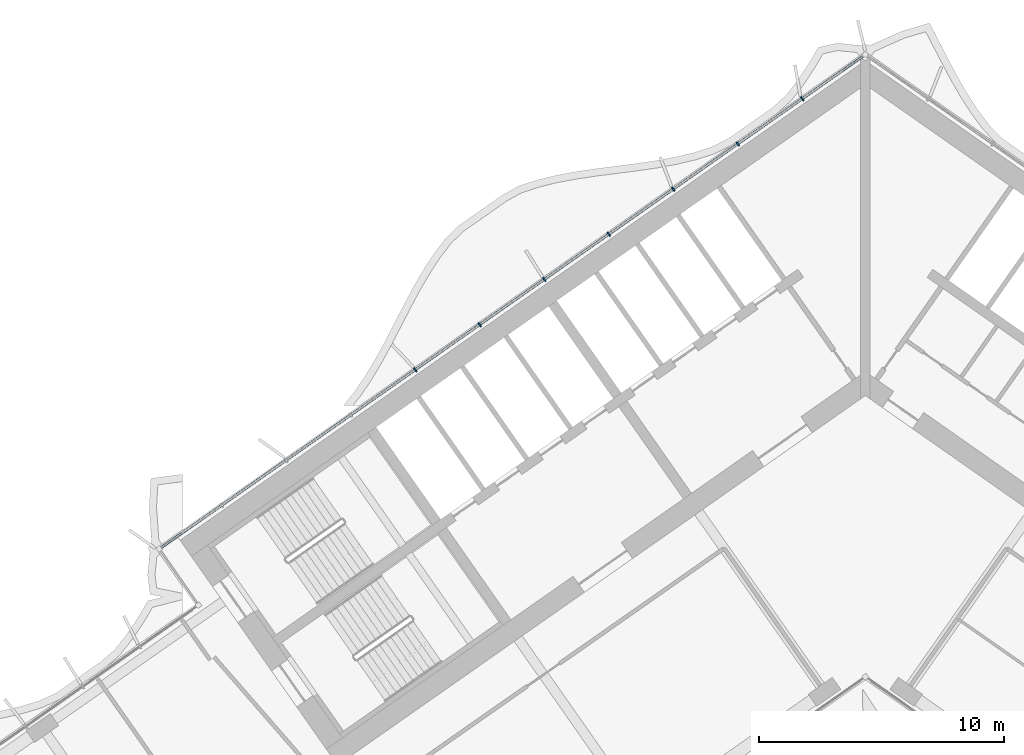
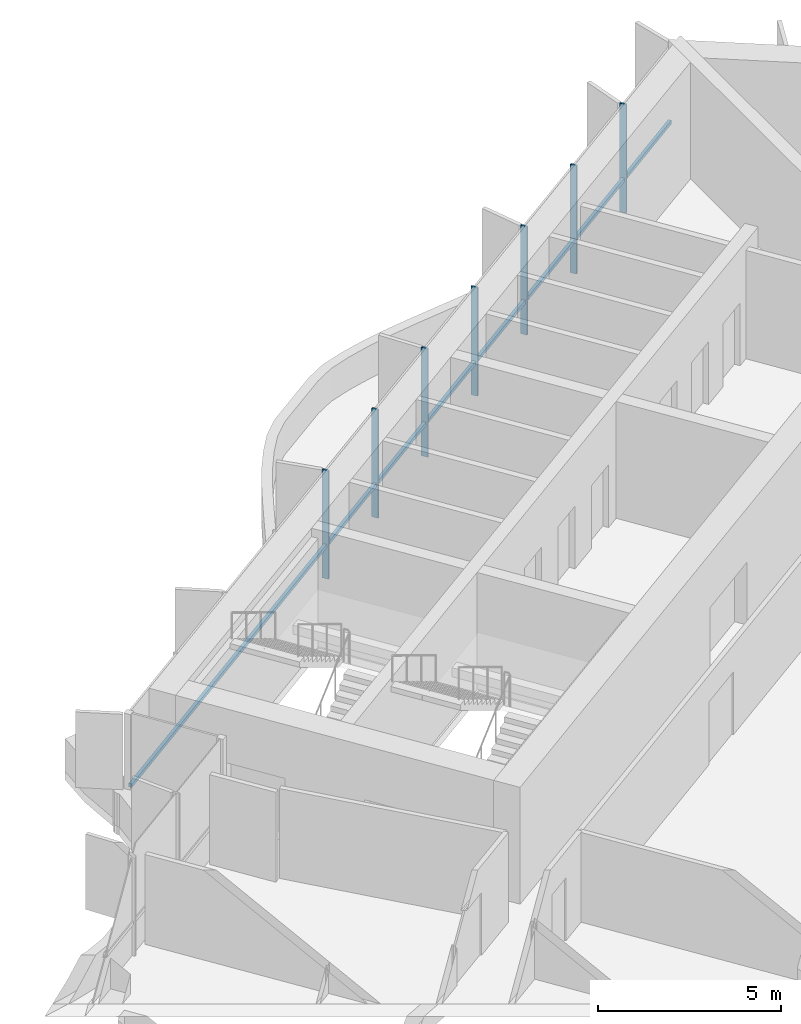
# One storey, part 7 of 22: 8 members, 1 element without a shape of its own.
"""IFC4 building model written with IfcOpenShell, lengths in metres."""

from ifc_helpers import new_model, si_unit, direction, frame, origin, origin_2d, place, context, subcontext, project, spatial, rectangle, extrude, material, material_profile, profile_set, type_object, element, aggregate, save


model = new_model("IFC4")

# Units and contexts
model_context = context("Model", 3, precision=1e-05, world=origin(), true_north=direction((0.0, 1.0)))
body_context = subcontext(model_context, "Body", "Model", "MODEL_VIEW")
ifc_project = project(units=[si_unit("LENGTHUNIT", "METRE"), si_unit("AREAUNIT", "SQUARE_METRE"), si_unit("VOLUMEUNIT", "CUBIC_METRE"), si_unit("PLANEANGLEUNIT", "RADIAN"), si_unit("MASSUNIT", "GRAM", prefix="KILO")], contexts=[model_context])

# Site, building, storey
site_placement = place(None, origin())
site = spatial("IfcSite", under=ifc_project, at=site_placement, CompositionType="ELEMENT")
building_placement = place(site_placement, origin())
building = spatial("IfcBuilding", under=site, at=building_placement, Name="Tel Ilan Convention Tower", CompositionType="ELEMENT")
storey_placement = place(building_placement, frame((0.0, 0.0, 135.89990234375)))
storey = spatial("IfcBuildingStorey", under=building, at=storey_placement, Name="L30", CompositionType="ELEMENT", Elevation=135.89990234375)

# Curtain wall, members
ifc_material_1 = material(Name="Aluminium, bronze anodised", Category="aluminium")
curtain_wall_type = type_object("IfcCurtainWallType", Name="CW2 STICK CURTAIN WALL, SPANDREL PANELS", PredefinedType="NOTDEFINED", material=ifc_material_1)
curtain_wall_placement = place(storey_placement, origin())
curtain_wall = element("IfcCurtainWall", 1, at=curtain_wall_placement, inside=storey, type_object=curtain_wall_type, Name="Curtain wall CW2-24.01", PredefinedType="NOTDEFINED")
ifc_material_2 = material(Name="Aluminium, bronze anodised", Category="aluminium")
ifc_material_profile_1 = material_profile(ifc_material_2, rectangle(XDim=0.06005859375, YDim=0.199951171875, at=origin_2d()), Name="CW MULLION 60x200")
ifc_profile_set_1 = profile_set([ifc_material_profile_1], Name="Aluminium, bronze anodised")
member_type_1 = type_object("IfcMemberType", Name="CW MULLION 60x200", PredefinedType="MULLION", material=ifc_profile_set_1)
member_1_placement = place(storey_placement, frame((-2.5751953125, 10.892822265625, 0.0), z_axis=(0.0, 0.0, 1.0), x_axis=(-0.819152044289, -0.573576436351, 0.0)))
member_1 = element("IfcMember", 2, at=member_1_placement, type_object=member_type_1, Name="Mullion", PredefinedType="MULLION", context=body_context, shape_type="SweptSolid", body=[
    extrude(rectangle(XDim=0.06005859375, YDim=0.199951171875, at=origin_2d()), origin(), (0.0, 0.0, 1.0), 3.6201171875),
])
member_2_placement = place(storey_placement, frame((-5.207763671875, 9.049560546875, 0.0), z_axis=(0.0, 0.0, 1.0), x_axis=(-0.819152044289, -0.573576436351, 0.0)))
member_2 = element("IfcMember", 3, at=member_2_placement, type_object=member_type_1, Name="Mullion", PredefinedType="MULLION", context=body_context, shape_type="SweptSolid", body=[
    extrude(rectangle(XDim=0.06005859375, YDim=0.199951171875, at=origin_2d()), origin(), (0.0, 0.0, 1.0), 3.6201171875),
])
member_3_placement = place(storey_placement, frame((-7.840576171875, 7.2060546875, 0.0), z_axis=(0.0, 0.0, 1.0), x_axis=(-0.819152044289, -0.573576436351, 0.0)))
member_3 = element("IfcMember", 4, at=member_3_placement, type_object=member_type_1, Name="Mullion", PredefinedType="MULLION", context=body_context, shape_type="SweptSolid", body=[
    extrude(rectangle(XDim=0.06005859375, YDim=0.199951171875, at=origin_2d()), origin(), (0.0, 0.0, 1.0), 3.6201171875),
])
member_4_placement = place(storey_placement, frame((-10.47314453125, 5.36279296875, 0.0), z_axis=(0.0, 0.0, 1.0), x_axis=(-0.819152044289, -0.573576436351, 0.0)))
member_4 = element("IfcMember", 5, at=member_4_placement, type_object=member_type_1, Name="Mullion", PredefinedType="MULLION", context=body_context, shape_type="SweptSolid", body=[
    extrude(rectangle(XDim=0.06005859375, YDim=0.199951171875, at=origin_2d()), origin(), (0.0, 0.0, 1.0), 3.6201171875),
])
member_5_placement = place(storey_placement, frame((-13.105712890625, 3.519287109375, 0.0), z_axis=(0.0, 0.0, 1.0), x_axis=(-0.819152044289, -0.573576436351, 0.0)))
member_5 = element("IfcMember", 6, at=member_5_placement, type_object=member_type_1, Name="Mullion", PredefinedType="MULLION", context=body_context, shape_type="SweptSolid", body=[
    extrude(rectangle(XDim=0.06005859375, YDim=0.199951171875, at=origin_2d()), origin(), (0.0, 0.0, 1.0), 3.6201171875),
])
member_6_placement = place(storey_placement, frame((-15.73828125, 1.676025390625, 0.0), z_axis=(0.0, 0.0, 1.0), x_axis=(-0.819152044289, -0.573576436351, 0.0)))
member_6 = element("IfcMember", 7, at=member_6_placement, type_object=member_type_1, Name="Mullion", PredefinedType="MULLION", context=body_context, shape_type="SweptSolid", body=[
    extrude(rectangle(XDim=0.06005859375, YDim=0.199951171875, at=origin_2d()), origin(), (0.0, 0.0, 1.0), 3.6201171875),
])
member_7_placement = place(storey_placement, frame((-18.37109375, -0.16748046875, 0.0), z_axis=(0.0, 0.0, 1.0), x_axis=(-0.819152044289, -0.573576436351, 0.0)))
member_7 = element("IfcMember", 8, at=member_7_placement, type_object=member_type_1, Name="Mullion", PredefinedType="MULLION", context=body_context, shape_type="SweptSolid", body=[
    extrude(rectangle(XDim=0.06005859375, YDim=0.199951171875, at=origin_2d()), origin(), (0.0, 0.0, 1.0), 3.6201171875),
])
ifc_material_3 = material(Name="Aluminium, bronze anodised", Category="aluminium")
ifc_material_profile_2 = material_profile(ifc_material_3, rectangle(XDim=0.10009765625, YDim=0.1201171875, at=origin_2d()), Name="CW TRANSOM 100x120")
ifc_profile_set_2 = profile_set([ifc_material_profile_2], Name="Aluminium, bronze anodised")
member_type_2 = type_object("IfcMemberType", Name="CW TRANSOM 100x120", PredefinedType="USERDEFINED", material=ifc_profile_set_2)
member_8_placement = place(storey_placement, frame((-0.1064453125, 12.62158203125, 1.10009765625), z_axis=(-0.819150201937, -0.573579067494, 0.0), x_axis=(0.573579067494, -0.819150201937, 0.0)))
member_8 = element("IfcMember", 9, at=member_8_placement, type_object=member_type_2, Name="Transom", ObjectType="TRANSOM", PredefinedType="USERDEFINED", context=body_context, shape_type="SweptSolid", body=[
    extrude(rectangle(XDim=0.10009765625, YDim=0.1201171875, at=origin_2d()), origin(), (0.0, 0.0, 1.0), 34.9521484375),
])
aggregate(curtain_wall, [member_1, member_2, member_3, member_4, member_5, member_6, member_7, member_8])

save(model, "model.ifc")
